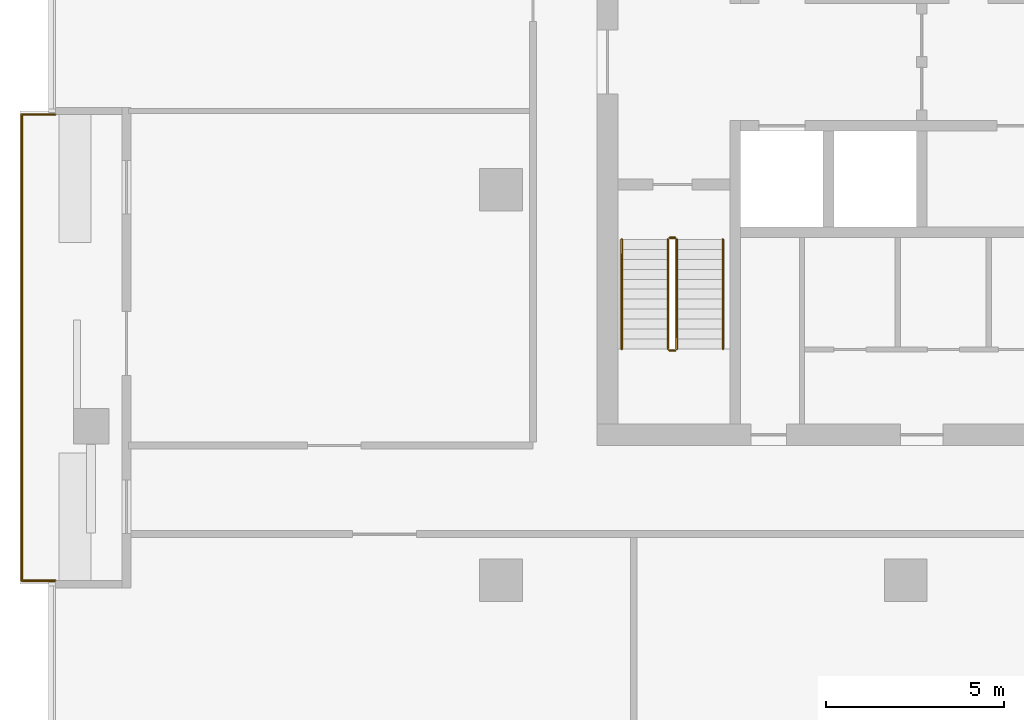
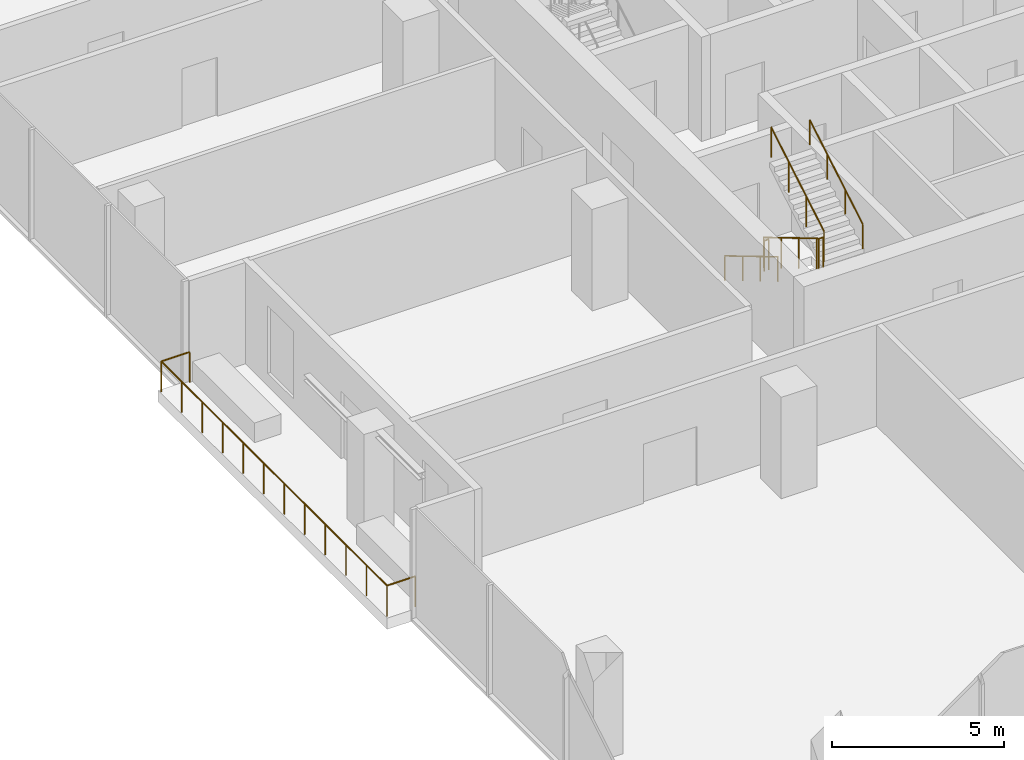
# One storey, part 11 of 13: 6 railings.
"""IFC4 building model written with IfcOpenShell, lengths in metres."""

from ifc_helpers import new_model, si_unit, direction, frame, origin, origin_2d, place, context, subcontext, project, spatial, circle, extrude, material, type_object, element, save


model = new_model("IFC4")

# Units and contexts
model_context = context("Model", 3, precision=1e-05, world=origin(), true_north=direction((0.0, 1.0)))
body_context = subcontext(model_context, "Body", "Model", "MODEL_VIEW")
ifc_project = project(units=[si_unit("LENGTHUNIT", "METRE"), si_unit("AREAUNIT", "SQUARE_METRE"), si_unit("VOLUMEUNIT", "CUBIC_METRE"), si_unit("PLANEANGLEUNIT", "RADIAN"), si_unit("MASSUNIT", "GRAM", prefix="KILO")], contexts=[model_context])

# Site, building, storey
site_placement = place(None, origin())
site = spatial("IfcSite", under=ifc_project, at=site_placement, CompositionType="ELEMENT")
building_placement = place(site_placement, origin())
building = spatial("IfcBuilding", under=site, at=building_placement, Name="Mopane Tessera Tower", CompositionType="ELEMENT")
storey_placement = place(building_placement, frame((0.0, 0.0, 275.39990234375)))
storey = spatial("IfcBuildingStorey", under=building, at=storey_placement, Name="L59", CompositionType="ELEMENT", Elevation=275.39990234375)

# Railings
ifc_material_1 = material(Name="Powder-coated steel balustrade", Category="steel")
railing_type_1 = type_object("IfcRailingType", Name="Escape stair guard 1100 mm", PredefinedType="GUARDRAIL", material=ifc_material_1)
railing_1_placement = place(storey_placement, frame((-12.39990234375, -1.39990234375, 0.166748046875)))
element("IfcRailing", 1, at=railing_1_placement, inside=storey, type_object=railing_type_1, Name="L59 ST1 stair guard 1", PredefinedType="GUARDRAIL", context=body_context, shape_type="SweptSolid", body=[
    extrude(circle(Radius=0.02392578125, at=origin_2d()), frame((0.0, 0.0, 1.076171875), z_axis=(0.0, -0.859308565015, 0.511457515432), x_axis=(1.0, 0.0, 0.0)), (0.0, 0.0, 1.0), 3.58447265625),
    extrude(circle(Radius=0.02392578125, at=origin_2d()), frame((0.0, -3.080078125, 2.9091796875), z_axis=(0.705375805398, -0.708833529934, 0.0), x_axis=(0.708833529934, 0.705375805398, 0.0)), (0.0, 0.0, 1.0), 0.070556640625),
    extrude(circle(Radius=0.02392578125, at=origin_2d()), frame((0.0498046875, -3.130126953125, 2.9091796875), z_axis=(1.0, 0.0, 0.0), x_axis=(0.0, 1.0, 0.0)), (0.0, 0.0, 1.0), 0.150146484375),
    extrude(circle(Radius=0.02099609375, at=origin_2d()), origin(), (0.0, 0.0, 1.0), 1.052001953125),
    extrude(circle(Radius=0.02099609375, at=origin_2d()), frame((0.0, -1.026611328125, 0.611083984375)), (0.0, 0.0, 1.0), 1.052001953125),
    extrude(circle(Radius=0.02099609375, at=origin_2d()), frame((0.0, -2.053466796875, 1.22216796875)), (0.0, 0.0, 1.0), 1.052001953125),
    extrude(circle(Radius=0.02099609375, at=origin_2d()), frame((0.0, -3.080078125, 1.833251953125)), (0.0, 0.0, 1.0), 1.052001953125),
    extrude(circle(Radius=0.02099609375, at=origin_2d()), frame((0.0498046875, -3.130126953125, 1.833251953125)), (0.0, 0.0, 1.0), 1.052001953125),
    extrude(circle(Radius=0.02099609375, at=origin_2d()), frame((0.199951171875, -3.130126953125, 1.833251953125)), (0.0, 0.0, 1.0), 1.052001953125),
])
railing_2_placement = place(storey_placement, frame((-12.14990234375, -4.47998046875, 2.166748046875)))
element("IfcRailing", 2, at=railing_2_placement, inside=storey, type_object=railing_type_1, Name="L59 ST1 stair guard 2", PredefinedType="GUARDRAIL", context=body_context, shape_type="SweptSolid", body=[
    extrude(circle(Radius=0.02392578125, at=origin_2d()), frame((0.0, 0.0, 1.076171875), z_axis=(0.0, 0.859308565015, 0.511457515432), x_axis=(-1.0, 0.0, 0.0)), (0.0, 0.0, 1.0), 3.58447265625),
    extrude(circle(Radius=0.02099609375, at=origin_2d()), origin(), (0.0, 0.0, 1.0), 1.052001953125),
    extrude(circle(Radius=0.02099609375, at=origin_2d()), frame((0.0, 1.026611328125, 0.611083984375)), (0.0, 0.0, 1.0), 1.052001953125),
    extrude(circle(Radius=0.02099609375, at=origin_2d()), frame((0.0, 2.053466796875, 1.22216796875)), (0.0, 0.0, 1.0), 1.052001953125),
    extrude(circle(Radius=0.02099609375, at=origin_2d()), frame((0.0, 3.080078125, 1.833251953125)), (0.0, 0.0, 1.0), 1.052001953125),
])
railing_3_placement = place(storey_placement, frame((-12.35009765625, -1.35009765625, 0.0)))
element("IfcRailing", 3, at=railing_3_placement, inside=storey, type_object=railing_type_1, Name="L59 ST1 stair guard 3", PredefinedType="GUARDRAIL", context=body_context, shape_type="SweptSolid", body=[
    extrude(circle(Radius=0.02392578125, at=origin_2d()), frame((0.0, 0.0, 1.076171875), z_axis=(1.0, 0.0, 0.0), x_axis=(0.0, 1.0, 0.0)), (0.0, 0.0, 1.0), 0.150146484375),
    extrude(circle(Radius=0.02099609375, at=origin_2d()), origin(), (0.0, 0.0, 1.0), 1.052001953125),
    extrude(circle(Radius=0.02099609375, at=origin_2d()), frame((0.150146484375, 0.0, 0.0)), (0.0, 0.0, 1.0), 1.052001953125),
])
ifc_material_2 = material(Name="Powder-coated steel balustrade", Category="steel")
railing_type_2 = type_object("IfcRailingType", Name="Escape stair handrail 900 mm", PredefinedType="HANDRAIL", material=ifc_material_2)
railing_4_placement = place(storey_placement, frame((-13.699951171875, -1.39990234375, 0.166748046875)))
element("IfcRailing", 4, at=railing_4_placement, inside=storey, type_object=railing_type_2, Name="L59 ST1 stair handrail 1", PredefinedType="HANDRAIL", context=body_context, shape_type="SweptSolid", body=[
    extrude(circle(Radius=0.02392578125, at=origin_2d()), frame((0.0, 0.0, 0.8759765625), z_axis=(0.0, -0.859308565015, 0.511457515432), x_axis=(1.0, 0.0, 0.0)), (0.0, 0.0, 1.0), 3.58447265625),
    extrude(circle(Radius=0.02099609375, at=origin_2d()), origin(), (0.0, 0.0, 1.0), 0.851806640625),
    extrude(circle(Radius=0.02099609375, at=origin_2d()), frame((0.0, -1.026611328125, 0.611083984375)), (0.0, 0.0, 1.0), 0.851806640625),
    extrude(circle(Radius=0.02099609375, at=origin_2d()), frame((0.0, -2.053466796875, 1.22216796875)), (0.0, 0.0, 1.0), 0.851806640625),
    extrude(circle(Radius=0.02099609375, at=origin_2d()), frame((0.0, -3.080078125, 1.833251953125)), (0.0, 0.0, 1.0), 0.851806640625),
])
railing_5_placement = place(storey_placement, frame((-10.85009765625, -4.47998046875, 2.166748046875)))
element("IfcRailing", 5, at=railing_5_placement, inside=storey, type_object=railing_type_2, Name="L59 ST1 stair handrail 2", PredefinedType="HANDRAIL", context=body_context, shape_type="SweptSolid", body=[
    extrude(circle(Radius=0.02392578125, at=origin_2d()), frame((0.0, 0.0, 0.8759765625), z_axis=(0.0, 0.859308565015, 0.511457515432), x_axis=(-1.0, 0.0, 0.0)), (0.0, 0.0, 1.0), 3.58447265625),
    extrude(circle(Radius=0.02099609375, at=origin_2d()), origin(), (0.0, 0.0, 1.0), 0.851806640625),
    extrude(circle(Radius=0.02099609375, at=origin_2d()), frame((0.0, 1.026611328125, 0.611083984375)), (0.0, 0.0, 1.0), 0.851806640625),
    extrude(circle(Radius=0.02099609375, at=origin_2d()), frame((0.0, 2.053466796875, 1.22216796875)), (0.0, 0.0, 1.0), 0.851806640625),
    extrude(circle(Radius=0.02099609375, at=origin_2d()), frame((0.0, 3.080078125, 1.833251953125)), (0.0, 0.0, 1.0), 0.851806640625),
])
ifc_material_3 = material(Name="Stainless steel S316", Category="steel")
railing_type_3 = type_object("IfcRailingType", Name="Terrace guard 1100", PredefinedType="GUARDRAIL", material=ifc_material_3)
railing_6_placement = place(storey_placement, frame((-29.64990234375, 2.122314453125, 0.0)))
element("IfcRailing", 6, at=railing_6_placement, inside=storey, type_object=railing_type_3, Name="e:nw:L59:N3:guard", PredefinedType="GUARDRAIL", context=body_context, shape_type="SweptSolid", body=[
    extrude(circle(Radius=0.02392578125, at=origin_2d()), frame((0.0, 0.0, 1.076171875), z_axis=(-1.0, 0.0, 0.0), x_axis=(0.0, -1.0, 0.0)), (0.0, 0.0, 1.0), 0.9501953125),
    extrude(circle(Radius=0.02392578125, at=origin_2d()), frame((-0.9501953125, 0.0, 1.076171875), z_axis=(0.0, -1.0, 0.0), x_axis=(1.0, 0.0, 0.0)), (0.0, 0.0, 1.0), 13.133544921875),
    extrude(circle(Radius=0.02392578125, at=origin_2d()), frame((-0.9501953125, -13.133544921875, 1.076171875), z_axis=(1.0, 0.0, 0.0), x_axis=(0.0, 1.0, 0.0)), (0.0, 0.0, 1.0), 0.9501953125),
    extrude(circle(Radius=0.02099609375, at=origin_2d()), origin(), (0.0, 0.0, 1.0), 1.052001953125),
    extrude(circle(Radius=0.02099609375, at=origin_2d()), frame((-0.9501953125, 0.0, 0.0)), (0.0, 0.0, 1.0), 1.052001953125),
    extrude(circle(Radius=0.02099609375, at=origin_2d()), frame((-0.9501953125, -1.19384765625, 0.0)), (0.0, 0.0, 1.0), 1.052001953125),
    extrude(circle(Radius=0.02099609375, at=origin_2d()), frame((-0.9501953125, -2.387939453125, 0.0)), (0.0, 0.0, 1.0), 1.052001953125),
    extrude(circle(Radius=0.02099609375, at=origin_2d()), frame((-0.9501953125, -3.581787109375, 0.0)), (0.0, 0.0, 1.0), 1.052001953125),
    extrude(circle(Radius=0.02099609375, at=origin_2d()), frame((-0.9501953125, -4.77587890625, 0.0)), (0.0, 0.0, 1.0), 1.052001953125),
    extrude(circle(Radius=0.02099609375, at=origin_2d()), frame((-0.9501953125, -5.9697265625, 0.0)), (0.0, 0.0, 1.0), 1.052001953125),
    extrude(circle(Radius=0.02099609375, at=origin_2d()), frame((-0.9501953125, -7.163818359375, 0.0)), (0.0, 0.0, 1.0), 1.052001953125),
    extrude(circle(Radius=0.02099609375, at=origin_2d()), frame((-0.9501953125, -8.357666015625, 0.0)), (0.0, 0.0, 1.0), 1.052001953125),
    extrude(circle(Radius=0.02099609375, at=origin_2d()), frame((-0.9501953125, -9.5517578125, 0.0)), (0.0, 0.0, 1.0), 1.052001953125),
    extrude(circle(Radius=0.02099609375, at=origin_2d()), frame((-0.9501953125, -10.74560546875, 0.0)), (0.0, 0.0, 1.0), 1.052001953125),
    extrude(circle(Radius=0.02099609375, at=origin_2d()), frame((-0.9501953125, -11.939697265625, 0.0)), (0.0, 0.0, 1.0), 1.052001953125),
    extrude(circle(Radius=0.02099609375, at=origin_2d()), frame((-0.9501953125, -13.133544921875, 0.0)), (0.0, 0.0, 1.0), 1.052001953125),
    extrude(circle(Radius=0.02099609375, at=origin_2d()), frame((0.0, -13.133544921875, 0.0)), (0.0, 0.0, 1.0), 1.052001953125),
])

save(model, "model.ifc")
